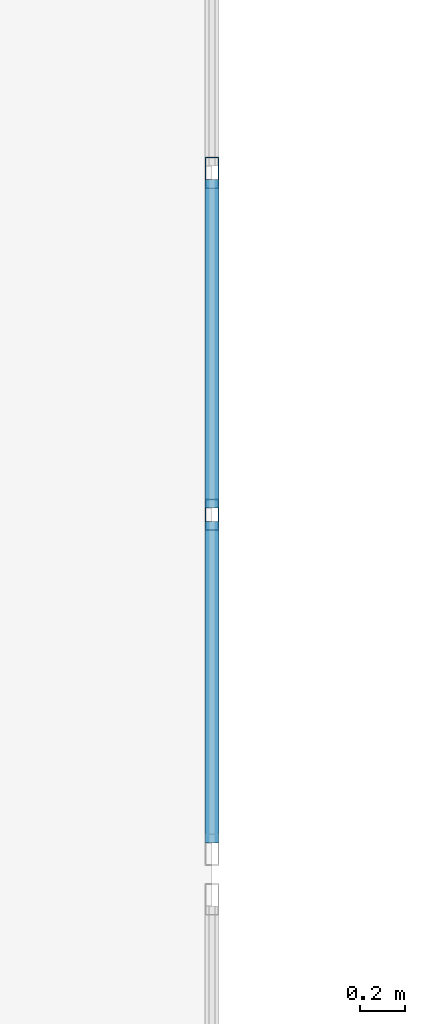
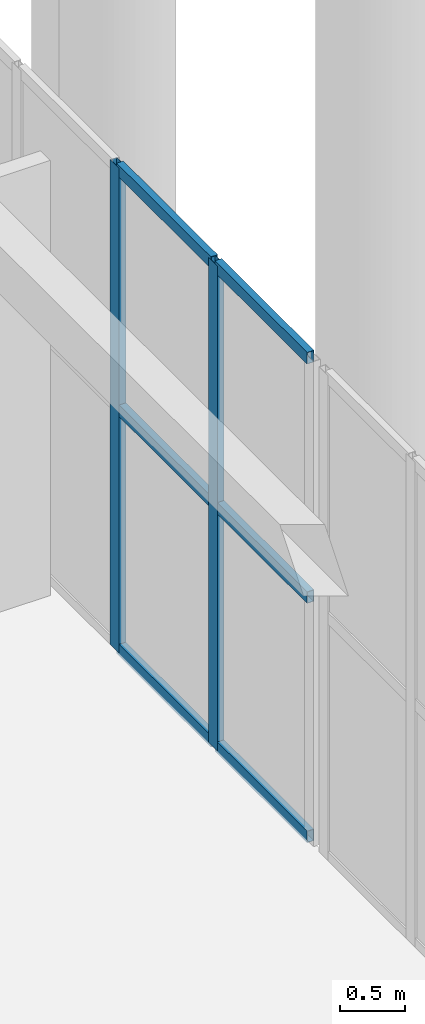
# One storey, part 78 of 192: 8 members, 1 element without a shape of its own.
"""IFC4 building model written with IfcOpenShell, lengths in metres."""

from ifc_helpers import new_model, si_unit, direction, frame, origin, origin_2d, place, context, subcontext, project, spatial, hollow_rectangle, extrude, material, layer, layer_set, material_profile, profile_set, type_object, element, aggregate, save


model = new_model("IFC4")

# Units and contexts
model_context = context("Model", 3, precision=1e-05, world=origin(), true_north=direction((0.0, 1.0)))
body_context = subcontext(model_context, "Body", "Model", "MODEL_VIEW")
ifc_project = project(units=[si_unit("LENGTHUNIT", "METRE"), si_unit("AREAUNIT", "SQUARE_METRE"), si_unit("VOLUMEUNIT", "CUBIC_METRE"), si_unit("PLANEANGLEUNIT", "RADIAN"), si_unit("MASSUNIT", "GRAM", prefix="KILO")], contexts=[model_context])

# Site, building, storey
site_placement = place(None, origin())
site = spatial("IfcSite", under=ifc_project, at=site_placement, CompositionType="ELEMENT")
building_placement = place(site_placement, origin())
building = spatial("IfcBuilding", under=site, at=building_placement, Name="Trelvath General Hospital", CompositionType="ELEMENT")
storey_placement = place(building_placement, origin())
storey = spatial("IfcBuildingStorey", under=building, at=storey_placement, Name="L00", CompositionType="ELEMENT", Elevation=0.0)

# Curtain wall, members
ifc_material_1 = material(Name="Anodised aluminium and low-E glass", Category="aluminium")
ifc_layer = layer(ifc_material_1, 0.139892578125)
ifc_layer_set = layer_set([ifc_layer], Name="Anodised aluminium and low-E glass")
curtain_wall_type = type_object("IfcCurtainWallType", Name="CW CrystalCube 1664 456 14", PredefinedType="USERDEFINED", material=ifc_layer_set)
curtain_wall_placement = place(storey_placement, origin())
curtain_wall = element("IfcCurtainWall", 1, at=curtain_wall_placement, inside=storey, type_object=curtain_wall_type, Name="Crystal Cube Curtain Wall CUBE-E-T0 E4 L00", ObjectType="Unitised Glazed Curtain Wall", PredefinedType="USERDEFINED")
ifc_material_2 = material(Name="Anodised aluminium", Category="aluminium")
ifc_material_profile_1 = material_profile(ifc_material_2, hollow_rectangle(XDim=0.06005859375, YDim=0.139892578125, WallThickness=0.00390625, at=origin_2d()), Name="RHS60x140x4")
ifc_profile_set_1 = profile_set([ifc_material_profile_1], Name="Anodised aluminium")
member_type_1 = type_object("IfcMemberType", Name="CurtainMullion 60x140", PredefinedType="MULLION", material=ifc_profile_set_1)
member_1_placement = place(storey_placement, frame((121.199951171875, 53.50537109375, 0.0), z_axis=(0.0, 0.0, 1.0), x_axis=(1.0, 0.0, 0.0)))
member_1 = element("IfcMember", 2, at=member_1_placement, type_object=member_type_1, Name="CW-121 mullion 10", PredefinedType="MULLION", context=body_context, shape_type="SweptSolid", body=[
    extrude(hollow_rectangle(XDim=0.06005859375, YDim=0.139892578125, WallThickness=0.00390625, at=origin_2d()), origin(), (0.0, 0.0, 1.0), 4.56005859375),
])
member_2_placement = place(storey_placement, frame((121.199951171875, 51.99267578125, 0.0), z_axis=(0.0, 0.0, 1.0), x_axis=(1.0, 0.0, 0.0)))
member_2 = element("IfcMember", 3, at=member_2_placement, type_object=member_type_1, Name="CW-121 mullion 11", PredefinedType="MULLION", context=body_context, shape_type="SweptSolid", body=[
    extrude(hollow_rectangle(XDim=0.06005859375, YDim=0.139892578125, WallThickness=0.00390625, at=origin_2d()), origin(), (0.0, 0.0, 1.0), 4.56005859375),
])
ifc_material_3 = material(Name="Anodised aluminium", Category="aluminium")
ifc_material_profile_2 = material_profile(ifc_material_3, hollow_rectangle(XDim=0.06005859375, YDim=0.110107421875, WallThickness=0.00390625, at=origin_2d()), Name="RHS60x110x4")
ifc_profile_set_2 = profile_set([ifc_material_profile_2], Name="Anodised aluminium")
member_type_2 = type_object("IfcMemberType", Name="CurtainTransom 60x110", PredefinedType="USERDEFINED", material=ifc_profile_set_2)
member_3_placement = place(storey_placement, frame((121.199951171875, 53.475341796875, 0.030029296875), z_axis=(0.0, -1.0, 0.0), x_axis=(1.0, 0.0, 0.0)))
member_3 = element("IfcMember", 4, at=member_3_placement, type_object=member_type_2, Name="CW-121 transom 10.1", ObjectType="TRANSOM", PredefinedType="USERDEFINED", context=body_context, shape_type="SweptSolid", body=[
    extrude(hollow_rectangle(XDim=0.06005859375, YDim=0.110107421875, WallThickness=0.00390625, at=origin_2d()), origin(), (0.0, 0.0, 1.0), 1.45263671875),
])
member_4_placement = place(storey_placement, frame((121.199951171875, 53.475341796875, 2.280029296875), z_axis=(0.0, -1.0, 0.0), x_axis=(1.0, 0.0, 0.0)))
member_4 = element("IfcMember", 5, at=member_4_placement, type_object=member_type_2, Name="CW-121 transom 10.2", ObjectType="TRANSOM", PredefinedType="USERDEFINED", context=body_context, shape_type="SweptSolid", body=[
    extrude(hollow_rectangle(XDim=0.06005859375, YDim=0.110107421875, WallThickness=0.00390625, at=origin_2d()), origin(), (0.0, 0.0, 1.0), 1.45263671875),
])
member_5_placement = place(storey_placement, frame((121.199951171875, 53.475341796875, 4.530029296875), z_axis=(0.0, -1.0, 0.0), x_axis=(1.0, 0.0, 0.0)))
member_5 = element("IfcMember", 6, at=member_5_placement, type_object=member_type_2, Name="CW-121 transom 10.3", ObjectType="TRANSOM", PredefinedType="USERDEFINED", context=body_context, shape_type="SweptSolid", body=[
    extrude(hollow_rectangle(XDim=0.06005859375, YDim=0.110107421875, WallThickness=0.00390625, at=origin_2d()), origin(), (0.0, 0.0, 1.0), 1.45263671875),
])
member_6_placement = place(storey_placement, frame((121.199951171875, 51.962646484375, 0.030029296875), z_axis=(0.0, -1.0, 0.0), x_axis=(1.0, 0.0, 0.0)))
member_6 = element("IfcMember", 7, at=member_6_placement, type_object=member_type_2, Name="CW-121 transom 11.1", ObjectType="TRANSOM", PredefinedType="USERDEFINED", context=body_context, shape_type="SweptSolid", body=[
    extrude(hollow_rectangle(XDim=0.06005859375, YDim=0.110107421875, WallThickness=0.00390625, at=origin_2d()), origin(), (0.0, 0.0, 1.0), 1.422607421875),
])
member_7_placement = place(storey_placement, frame((121.199951171875, 51.962646484375, 2.280029296875), z_axis=(0.0, -1.0, 0.0), x_axis=(1.0, 0.0, 0.0)))
member_7 = element("IfcMember", 8, at=member_7_placement, type_object=member_type_2, Name="CW-121 transom 11.2", ObjectType="TRANSOM", PredefinedType="USERDEFINED", context=body_context, shape_type="SweptSolid", body=[
    extrude(hollow_rectangle(XDim=0.06005859375, YDim=0.110107421875, WallThickness=0.00390625, at=origin_2d()), origin(), (0.0, 0.0, 1.0), 1.422607421875),
])
member_8_placement = place(storey_placement, frame((121.199951171875, 51.962646484375, 4.530029296875), z_axis=(0.0, -1.0, 0.0), x_axis=(1.0, 0.0, 0.0)))
member_8 = element("IfcMember", 9, at=member_8_placement, type_object=member_type_2, Name="CW-121 transom 11.3", ObjectType="TRANSOM", PredefinedType="USERDEFINED", context=body_context, shape_type="SweptSolid", body=[
    extrude(hollow_rectangle(XDim=0.06005859375, YDim=0.110107421875, WallThickness=0.00390625, at=origin_2d()), origin(), (0.0, 0.0, 1.0), 1.422607421875),
])
aggregate(curtain_wall, [member_1, member_2, member_3, member_4, member_5, member_6, member_7, member_8])

save(model, "model.ifc")
